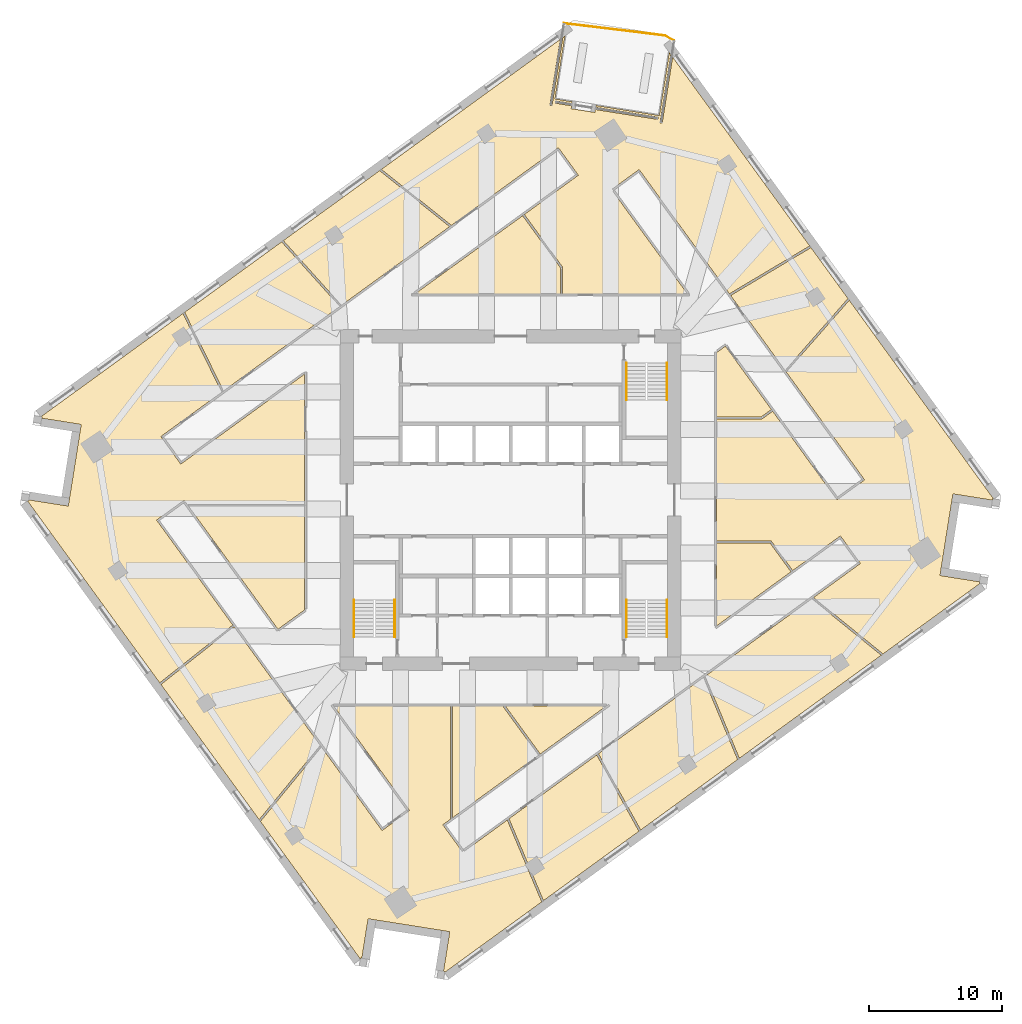
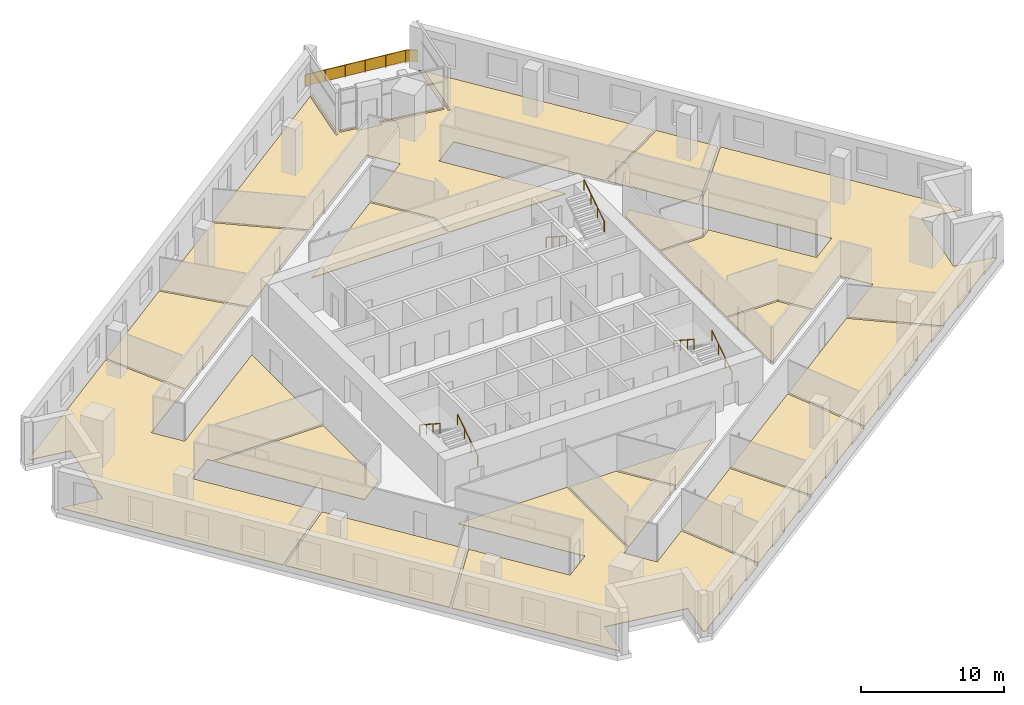
# One storey, part 10 of 11: 17 coverings, 7 railings.
"""IFC4 building model written with IfcOpenShell, lengths in metres."""

from ifc_helpers import new_model, si_unit, direction, frame, origin, origin_2d, place, context, subcontext, project, spatial, polyline, rectangle, circle, outline, extrude, material, layer, layer_set, type_object, element, save


model = new_model("IFC4")

# Units and contexts
model_context = context("Model", 3, precision=1e-05, world=origin(), true_north=direction((0.0, 1.0)))
body_context = subcontext(model_context, "Body", "Model", "MODEL_VIEW")
ifc_project = project(units=[si_unit("LENGTHUNIT", "METRE"), si_unit("AREAUNIT", "SQUARE_METRE"), si_unit("VOLUMEUNIT", "CUBIC_METRE"), si_unit("PLANEANGLEUNIT", "RADIAN"), si_unit("MASSUNIT", "GRAM", prefix="KILO")], contexts=[model_context])

# Site, building, storey
site_placement = place(None, origin())
site = spatial("IfcSite", under=ifc_project, at=site_placement, CompositionType="ELEMENT")
building_placement = place(site_placement, origin())
building = spatial("IfcBuilding", under=site, at=building_placement, Name="Dilmun Exchange Tower", CompositionType="ELEMENT")
storey_placement = place(building_placement, frame((0.0, 0.0, 167.699951171875)))
storey = spatial("IfcBuildingStorey", under=building, at=storey_placement, Name="L39", CompositionType="ELEMENT", Elevation=167.699951171875)

# Coverings
ifc_material_1 = material(Name="Carpet floor finish 50")
ifc_layer_1 = layer(ifc_material_1, 0.050048828125)
ifc_layer_set_1 = layer_set([ifc_layer_1], Name="Carpet floor finish 50")
covering_type_1 = type_object("IfcCoveringType", Name="Carpet floor finish 50", PredefinedType="FLOORING", material=ifc_layer_set_1)
covering_1_placement = place(storey_placement, origin())
element("IfcCovering", 1, at=covering_1_placement, inside=storey, type_object=covering_type_1, Name="Carpet floor finish 50 Open office 1", PredefinedType="FLOORING", context=body_context, shape_type="SweptSolid", body=[
    extrude(outline(polyline([(-21.6875, 8.09521484375), (-26.27099609375, 4.76513671875), (-24.772216796875, 2.7021484375), (-15.47509765625, 9.45703125), (-15.47509765625, -0.3203125), (-24.29931640625, -0.3203125), (-24.522705078125, -0.0126953125), (-26.585693359375, -1.51171875), (-20.861328125, -9.390625), (-26.357421875, -13.73681640625), (-36.276123046875, -0.085205078125), (-36.2060546875, -0.09619140625), (-36.205810546875, -0.09619140625), (-36.205810546875, -0.09619140625), (-36.20556640625, -0.09619140625), (-36.205322265625, -0.09619140625), (-36.205078125, -0.09619140625), (-36.205078125, -0.09619140625), (-36.204833984375, -0.095947265625), (-36.20458984375, -0.095947265625), (-36.20458984375, -0.095703125), (-36.204345703125, -0.095703125), (-36.2041015625, -0.095458984375), (-36.2041015625, -0.09521484375), (-36.2041015625, -0.09521484375), (-36.203857421875, -0.094970703125), (-36.203857421875, -0.0947265625), (-36.203857421875, -0.094482421875), (-36.186767578125, 0.013427734375), (-33.2255859375, -0.45556640625), (-33.225341796875, -0.45556640625), (-33.225341796875, -0.45556640625), (-33.22509765625, -0.45556640625), (-33.224853515625, -0.45556640625), (-33.224609375, -0.45556640625), (-33.224609375, -0.455322265625), (-33.224365234375, -0.455322265625), (-33.22412109375, -0.455078125), (-33.22412109375, -0.455078125), (-33.223876953125, -0.455078125), (-33.2236328125, -0.454833984375), (-33.2236328125, -0.45458984375), (-33.223388671875, -0.45458984375), (-33.223388671875, -0.454345703125), (-33.223388671875, -0.4541015625), (-33.223388671875, -0.453857421875), (-33.129638671875, 0.13818359375), (-33.12939453125, 0.138427734375), (-33.12939453125, 0.138671875), (-33.12939453125, 0.138916015625), (-32.347412109375, 5.07666015625), (-32.347412109375, 5.076904296875), (-32.347412109375, 5.076904296875), (-32.347412109375, 5.0771484375), (-32.25341796875, 5.669921875), (-32.25341796875, 5.669921875), (-32.25341796875, 5.670166015625), (-32.25341796875, 5.67041015625), (-32.25341796875, 5.670654296875), (-32.25341796875, 5.6708984375), (-32.253662109375, 5.6708984375), (-32.253662109375, 5.671142578125), (-32.25390625, 5.67138671875), (-32.25390625, 5.67138671875), (-32.25390625, 5.671630859375), (-32.254150390625, 5.671630859375), (-32.25439453125, 5.671875), (-32.25439453125, 5.671875), (-32.254638671875, 5.672119140625), (-32.2548828125, 5.672119140625), (-32.255126953125, 5.672119140625), (-35.21630859375, 6.14111328125), (-35.19921875, 6.248779296875), (-35.19921875, 6.2490234375), (-35.19921875, 6.249267578125), (-35.19921875, 6.24951171875), (-35.19921875, 6.249755859375), (-35.19921875, 6.25), (-35.19921875, 6.25), (-35.199462890625, 6.250244140625), (-35.199462890625, 6.25048828125), (-35.19970703125, 6.25048828125), (-35.19970703125, 6.250732421875), (-35.199951171875, 6.2509765625), (-35.199951171875, 6.2509765625), (-35.2001953125, 6.251220703125), (-35.200439453125, 6.251220703125), (-35.20068359375, 6.251220703125), (-35.20068359375, 6.251220703125), (-35.27099609375, 6.26220703125), (-24.610595703125, 14.007568359375), (-21.6875, 8.09521484375)])), origin(), (0.0, 0.0, 1.0), 0.050048828125),
])
covering_2_placement = place(storey_placement, origin())
element("IfcCovering", 2, at=covering_2_placement, inside=storey, type_object=covering_type_1, Name="Carpet floor finish 50 Training room", PredefinedType="FLOORING", context=body_context, shape_type="SweptSolid", body=[
    extrude(outline(polyline([(-20.773193359375, -9.511962890625), (-14.294921875, -18.428466796875), (-18.887939453125, -24.017578125), (-26.269287109375, -13.8583984375), (-20.773193359375, -9.511962890625)])), origin(), (0.0, 0.0, 1.0), 0.050048828125),
])
covering_3_placement = place(storey_placement, origin())
element("IfcCovering", 3, at=covering_3_placement, inside=storey, type_object=covering_type_1, Name="Carpet floor finish 50 Library 1", PredefinedType="FLOORING", context=body_context, shape_type="SweptSolid", body=[
    extrude(outline(polyline([(-24.4873046875, 14.096923828125), (-17.197509765625, 19.393310546875), (-12.827392578125, 14.532470703125), (-21.564453125, 8.184814453125), (-24.4873046875, 14.096923828125)])), origin(), (0.0, 0.0, 1.0), 0.050048828125),
])
covering_4_placement = place(storey_placement, origin())
element("IfcCovering", 4, at=covering_4_placement, inside=storey, type_object=covering_type_1, Name="Carpet floor finish 50 Boardroom 1", PredefinedType="FLOORING", context=body_context, shape_type="SweptSolid", body=[
    extrude(outline(polyline([(-17.4755859375, -9.71240234375), (-24.1904296875, -0.47021484375), (-15.47509765625, -0.47021484375), (-15.47509765625, -8.2587890625), (-17.4755859375, -9.71240234375)])), origin(), (0.0, 0.0, 1.0), 0.050048828125),
])
covering_5_placement = place(storey_placement, origin())
element("IfcCovering", 5, at=covering_5_placement, inside=storey, type_object=covering_type_1, Name="Carpet floor finish 50 Executive office 1", PredefinedType="FLOORING", context=body_context, shape_type="SweptSolid", body=[
    extrude(outline(polyline([(-12.70556640625, 14.62109375), (-17.075439453125, 19.482177734375), (-9.8369140625, 24.7412109375), (-4.573486328125, 20.529541015625), (-12.70556640625, 14.62109375)])), origin(), (0.0, 0.0, 1.0), 0.050048828125),
])
covering_6_placement = place(storey_placement, origin())
element("IfcCovering", 6, at=covering_6_placement, inside=storey, type_object=covering_type_1, Name="Carpet floor finish 50 Boardroom 2", PredefinedType="FLOORING", context=body_context, shape_type="SweptSolid", body=[
    extrude(outline(polyline([(-14.203857421875, -18.553955078125), (-9.653076171875, -24.8173828125), (-7.590087890625, -23.318603515625), (-13.288818359375, -15.47509765625), (-4.517578125, -15.47509765625), (-4.517578125, -23.982421875), (-5.085205078125, -24.394775390625), (-3.586181640625, -26.457763671875), (-0.248291015625, -24.03271484375), (2.34228515625, -30.186279296875), (-4.943359375, -35.479736328125), (-4.932373046875, -35.40966796875), (-4.932373046875, -35.409423828125), (-4.932373046875, -35.4091796875), (-4.932373046875, -35.408935546875), (-4.932373046875, -35.40869140625), (-4.932373046875, -35.40869140625), (-4.9326171875, -35.408447265625), (-4.9326171875, -35.408203125), (-4.9326171875, -35.408203125), (-4.932861328125, -35.407958984375), (-4.93310546875, -35.40771484375), (-4.93310546875, -35.40771484375), (-4.933349609375, -35.40771484375), (-4.933349609375, -35.407470703125), (-4.93359375, -35.407470703125), (-4.933837890625, -35.407470703125), (-4.93408203125, -35.4072265625), (-5.0419921875, -35.39013671875), (-4.572998046875, -32.42919921875), (-4.572998046875, -32.428955078125), (-4.572998046875, -32.4287109375), (-4.572998046875, -32.4287109375), (-4.572998046875, -32.428466796875), (-4.572998046875, -32.42822265625), (-4.572998046875, -32.427978515625), (-4.5732421875, -32.427734375), (-4.5732421875, -32.427734375), (-4.573486328125, -32.427490234375), (-4.573486328125, -32.427490234375), (-4.57373046875, -32.42724609375), (-4.57373046875, -32.427001953125), (-4.573974609375, -32.427001953125), (-4.57421875, -32.427001953125), (-4.574462890625, -32.427001953125), (-4.57470703125, -32.427001953125), (-5.167236328125, -32.3330078125), (-5.16748046875, -32.3330078125), (-5.16748046875, -32.3330078125), (-10.105712890625, -31.55078125), (-10.10595703125, -31.55078125), (-10.10595703125, -31.55078125), (-10.106201171875, -31.55078125), (-10.6982421875, -31.45703125), (-10.698486328125, -31.45703125), (-10.69873046875, -31.45703125), (-10.698974609375, -31.45703125), (-10.69921875, -31.45703125), (-10.69921875, -31.45703125), (-10.699462890625, -31.457275390625), (-10.69970703125, -31.457275390625), (-10.69970703125, -31.45751953125), (-10.699951171875, -31.45751953125), (-10.7001953125, -31.45751953125), (-10.7001953125, -31.457763671875), (-10.7001953125, -31.4580078125), (-10.700439453125, -31.4580078125), (-10.700439453125, -31.458251953125), (-10.700439453125, -31.45849609375), (-10.70068359375, -31.458740234375), (-11.169677734375, -34.419677734375), (-11.27734375, -34.402587890625), (-11.277587890625, -34.402587890625), (-11.27783203125, -34.402587890625), (-11.278076171875, -34.402587890625), (-11.2783203125, -34.402587890625), (-11.2783203125, -34.402587890625), (-11.278564453125, -34.40283203125), (-11.27880859375, -34.40283203125), (-11.27880859375, -34.403076171875), (-11.279052734375, -34.403076171875), (-11.279296875, -34.4033203125), (-11.279296875, -34.4033203125), (-11.279541015625, -34.403564453125), (-11.279541015625, -34.40380859375), (-11.279541015625, -34.40380859375), (-11.27978515625, -34.404052734375), (-11.27978515625, -34.404296875), (-11.290771484375, -34.474365234375), (-18.796875, -24.14306640625), (-14.203857421875, -18.553955078125)])), origin(), (0.0, 0.0, 1.0), 0.050048828125),
])
covering_7_placement = place(storey_placement, origin())
element("IfcCovering", 7, at=covering_7_placement, inside=storey, type_object=covering_type_1, Name="Carpet floor finish 50 Executive office 2", PredefinedType="FLOORING", context=body_context, shape_type="SweptSolid", body=[
    extrude(outline(polyline([(-4.367431640625, -15.47509765625), (-0.585693359375, -15.47509765625), (2.101318359375, -19.173583984375), (-4.367431640625, -23.87353515625), (-4.367431640625, -15.47509765625)])), origin(), (0.0, 0.0, 1.0), 0.050048828125),
])
covering_8_placement = place(storey_placement, origin())
element("IfcCovering", 8, at=covering_8_placement, inside=storey, type_object=covering_type_1, Name="Carpet floor finish 50 Garden lounge", PredefinedType="FLOORING", context=body_context, shape_type="SweptSolid", body=[
    extrude(outline(polyline([(-9.711181640625, 24.83251953125), (3.733154296875, 34.600341796875), (2.948974609375, 29.64892578125), (2.948974609375, 29.648681640625), (2.948974609375, 29.648681640625), (2.948974609375, 29.6484375), (2.948974609375, 29.648193359375), (2.948974609375, 29.648193359375), (2.94921875, 29.64794921875), (2.94921875, 29.647705078125), (2.94921875, 29.6474609375), (2.949462890625, 29.6474609375), (2.949462890625, 29.647216796875), (2.94970703125, 29.647216796875), (2.94970703125, 29.64697265625), (2.949951171875, 29.64697265625), (2.9501953125, 29.646728515625), (2.950439453125, 29.646728515625), (2.95068359375, 29.646728515625), (3.108642578125, 29.62158203125), (3.10888671875, 29.62158203125), (3.10888671875, 29.62158203125), (3.109130859375, 29.62158203125), (3.109375, 29.62158203125), (3.109619140625, 29.621826171875), (3.10986328125, 29.621826171875), (3.10986328125, 29.6220703125), (3.110107421875, 29.6220703125), (3.110107421875, 29.622314453125), (3.1103515625, 29.622314453125), (3.110595703125, 29.62255859375), (3.110595703125, 29.62255859375), (3.110595703125, 29.622802734375), (3.11083984375, 29.623046875), (3.11083984375, 29.623291015625), (3.11083984375, 29.623291015625), (3.9208984375, 34.73681640625), (4.08447265625, 34.855712890625), (3.334228515625, 30.119384765625), (4.630126953125, 29.914306640625), (4.60791015625, 29.77294921875), (3.385986328125, 29.966552734375), (3.3857421875, 29.966552734375), (3.385498046875, 29.966552734375), (3.385498046875, 29.966552734375), (3.38525390625, 29.966552734375), (3.385009765625, 29.966552734375), (3.385009765625, 29.96630859375), (3.384765625, 29.96630859375), (3.384521484375, 29.96630859375), (3.384521484375, 29.966064453125), (3.38427734375, 29.966064453125), (3.384033203125, 29.9658203125), (3.384033203125, 29.9658203125), (3.3837890625, 29.965576171875), (3.3837890625, 29.96533203125), (3.3837890625, 29.965087890625), (3.3837890625, 29.96484375), (3.358642578125, 29.806884765625), (3.358642578125, 29.806640625), (3.358642578125, 29.806396484375), (3.358642578125, 29.806396484375), (3.358642578125, 29.80615234375), (3.35888671875, 29.805908203125), (3.35888671875, 29.8056640625), (3.35888671875, 29.8056640625), (3.359130859375, 29.805419921875), (3.359130859375, 29.805419921875), (3.359375, 29.80517578125), (3.359619140625, 29.804931640625), (3.359619140625, 29.804931640625), (3.35986328125, 29.8046875), (3.360107421875, 29.8046875), (3.360107421875, 29.8046875), (3.3603515625, 29.8046875), (4.582275390625, 29.611083984375), (4.548095703125, 29.395751953125), (4.548095703125, 29.3955078125), (4.548095703125, 29.395263671875), (4.548095703125, 29.39501953125), (4.548095703125, 29.39501953125), (4.548095703125, 29.394775390625), (4.548095703125, 29.39453125), (4.54833984375, 29.394287109375), (4.54833984375, 29.394287109375), (4.548583984375, 29.39404296875), (4.548583984375, 29.393798828125), (4.548828125, 29.393798828125), (4.549072265625, 29.393798828125), (4.54931640625, 29.3935546875), (4.54931640625, 29.3935546875), (4.549560546875, 29.3935546875), (4.5498046875, 29.393310546875), (6.32763671875, 29.11181640625), (6.32763671875, 29.11181640625), (6.327880859375, 29.11181640625), (6.328125, 29.11181640625), (6.328369140625, 29.11181640625), (6.32861328125, 29.11181640625), (6.32861328125, 29.112060546875), (6.328857421875, 29.112060546875), (6.3291015625, 29.1123046875), (6.3291015625, 29.1123046875), (6.329345703125, 29.1123046875), (6.32958984375, 29.112548828125), (6.32958984375, 29.11279296875), (6.32958984375, 29.11279296875), (6.32958984375, 29.113037109375), (6.329833984375, 29.11328125), (6.329833984375, 29.113525390625), (6.364013671875, 29.328857421875), (11.042724609375, 28.587890625), (11.04296875, 28.587890625), (11.043212890625, 28.587890625), (11.04345703125, 28.587890625), (11.043701171875, 28.587890625), (11.043701171875, 28.587890625), (11.0439453125, 28.587890625), (11.044189453125, 28.588134765625), (11.044189453125, 28.588134765625), (11.04443359375, 28.58837890625), (11.044677734375, 28.58837890625), (11.044677734375, 28.588623046875), (11.044921875, 28.588623046875), (11.044921875, 28.5888671875), (11.044921875, 28.589111328125), (11.044921875, 28.58935546875), (11.045166015625, 28.589599609375), (11.070068359375, 28.74755859375), (11.070068359375, 28.747802734375), (11.070068359375, 28.747802734375), (11.070068359375, 28.748046875), (11.070068359375, 28.748291015625), (11.070068359375, 28.74853515625), (11.06982421875, 28.748779296875), (11.06982421875, 28.748779296875), (11.069580078125, 28.7490234375), (11.069580078125, 28.7490234375), (11.069580078125, 28.749267578125), (11.0693359375, 28.74951171875), (11.069091796875, 28.74951171875), (11.069091796875, 28.74951171875), (11.06884765625, 28.749755859375), (11.068603515625, 28.749755859375), (11.068359375, 28.749755859375), (6.3896484375, 29.49072265625), (6.412109375, 29.632080078125), (11.164794921875, 28.87939453125), (11.9150390625, 33.615478515625), (12.03369140625, 33.451904296875), (11.223876953125, 28.33837890625), (11.223876953125, 28.338134765625), (11.223876953125, 28.337890625), (11.223876953125, 28.337646484375), (11.223876953125, 28.33740234375), (11.22412109375, 28.33740234375), (11.22412109375, 28.337158203125), (11.22412109375, 28.3369140625), (11.224365234375, 28.3369140625), (11.224365234375, 28.336669921875), (11.224609375, 28.33642578125), (11.224609375, 28.33642578125), (11.224853515625, 28.336181640625), (11.22509765625, 28.336181640625), (11.22509765625, 28.336181640625), (11.225341796875, 28.336181640625), (11.2255859375, 28.3359375), (11.383544921875, 28.31103515625), (11.3837890625, 28.31103515625), (11.384033203125, 28.31103515625), (11.38427734375, 28.31103515625), (11.384521484375, 28.31103515625), (11.384521484375, 28.31103515625), (11.384765625, 28.311279296875), (11.385009765625, 28.311279296875), (11.385009765625, 28.311279296875), (11.38525390625, 28.3115234375), (11.385498046875, 28.3115234375), (11.385498046875, 28.311767578125), (11.385498046875, 28.31201171875), (11.3857421875, 28.31201171875), (11.3857421875, 28.312255859375), (11.385986328125, 28.3125), (11.385986328125, 28.312744140625), (12.170166015625, 33.26416015625), (22.473388671875, 19.0830078125), (16.434814453125, 15.4833984375), (9.653076171875, 24.8173828125), (7.590087890625, 23.318603515625), (13.288818359375, 15.47509765625), (3.89501953125, 15.47509765625), (3.89501953125, 17.5009765625), (1.02783203125, 21.447021484375), (5.085205078125, 24.394775390625), (3.586181640625, 26.457763671875), (-4.447509765625, 20.620849609375), (-9.711181640625, 24.83251953125)])), origin(), (0.0, 0.0, 1.0), 0.050048828125),
])
covering_9_placement = place(storey_placement, origin())
element("IfcCovering", 9, at=covering_9_placement, inside=storey, type_object=covering_type_1, Name="Carpet floor finish 50 Executive office 3", PredefinedType="FLOORING", context=body_context, shape_type="SweptSolid", body=[
    extrude(outline(polyline([(17.053955078125, -19.497802734375), (9.767578125, -24.79150390625), (6.594482421875, -19.06103515625), (14.4873046875, -13.32666015625), (17.053955078125, -19.497802734375)])), origin(), (0.0, 0.0, 1.0), 0.050048828125),
])
covering_10_placement = place(storey_placement, origin())
element("IfcCovering", 10, at=covering_10_placement, inside=storey, type_object=covering_type_1, Name="Carpet floor finish 50 Executive office 4", PredefinedType="FLOORING", context=body_context, shape_type="SweptSolid", body=[
    extrude(outline(polyline([(21.067138671875, -5.39404296875), (15.47509765625, -9.45703125), (15.47509765625, -3.228515625), (19.49365234375, -3.228515625), (21.067138671875, -5.39404296875)])), origin(), (0.0, 0.0, 1.0), 0.050048828125),
])
covering_11_placement = place(storey_placement, origin())
element("IfcCovering", 11, at=covering_11_placement, inside=storey, type_object=covering_type_1, Name="Carpet floor finish 50 Executive office 5", PredefinedType="FLOORING", context=body_context, shape_type="SweptSolid", body=[
    extrude(outline(polyline([(22.622802734375, -7.415771484375), (27.844482421875, -11.657958984375), (17.1787109375, -19.406982421875), (14.612060546875, -13.236083984375), (22.622802734375, -7.415771484375)])), origin(), (0.0, 0.0, 1.0), 0.050048828125),
])
covering_12_placement = place(storey_placement, origin())
element("IfcCovering", 12, at=covering_12_placement, inside=storey, type_object=covering_type_1, Name="Carpet floor finish 50 Library 2", PredefinedType="FLOORING", context=body_context, shape_type="SweptSolid", body=[
    extrude(outline(polyline([(22.561767578125, 18.961181640625), (25.34521484375, 15.13037109375), (20.612060546875, 9.73388671875), (16.523193359375, 15.361572265625), (22.561767578125, 18.961181640625)])), origin(), (0.0, 0.0, 1.0), 0.050048828125),
])
covering_13_placement = place(storey_placement, origin())
element("IfcCovering", 13, at=covering_13_placement, inside=storey, type_object=covering_type_1, Name="Carpet floor finish 50 Open office 2", PredefinedType="FLOORING", context=body_context, shape_type="SweptSolid", body=[
    extrude(outline(polyline([(24.522705078125, 0.0126953125), (26.585693359375, 1.51171875), (20.702392578125, 9.609619140625), (25.435546875, 15.005859375), (36.276123046875, 0.085205078125), (36.2060546875, 0.09619140625), (36.205810546875, 0.09619140625), (36.205810546875, 0.09619140625), (36.20556640625, 0.09619140625), (36.205322265625, 0.09619140625), (36.205078125, 0.09619140625), (36.205078125, 0.09619140625), (36.204833984375, 0.095947265625), (36.20458984375, 0.095947265625), (36.20458984375, 0.095703125), (36.204345703125, 0.095703125), (36.2041015625, 0.095458984375), (36.2041015625, 0.09521484375), (36.2041015625, 0.09521484375), (36.203857421875, 0.094970703125), (36.203857421875, 0.0947265625), (36.203857421875, 0.094482421875), (36.186767578125, -0.013427734375), (33.2255859375, 0.45556640625), (33.225341796875, 0.45556640625), (33.225341796875, 0.45556640625), (33.22509765625, 0.45556640625), (33.224853515625, 0.45556640625), (33.224609375, 0.45556640625), (33.224609375, 0.455322265625), (33.224365234375, 0.455322265625), (33.22412109375, 0.455078125), (33.22412109375, 0.455078125), (33.223876953125, 0.455078125), (33.2236328125, 0.454833984375), (33.2236328125, 0.45458984375), (33.223388671875, 0.45458984375), (33.223388671875, 0.454345703125), (33.223388671875, 0.4541015625), (33.223388671875, 0.453857421875), (33.129638671875, -0.13818359375), (33.12939453125, -0.138427734375), (33.12939453125, -0.138671875), (33.12939453125, -0.138916015625), (32.347412109375, -5.07666015625), (32.347412109375, -5.076904296875), (32.347412109375, -5.076904296875), (32.347412109375, -5.0771484375), (32.25341796875, -5.669921875), (32.25341796875, -5.669921875), (32.25341796875, -5.670166015625), (32.25341796875, -5.67041015625), (32.25341796875, -5.670654296875), (32.25341796875, -5.6708984375), (32.253662109375, -5.6708984375), (32.253662109375, -5.671142578125), (32.25390625, -5.67138671875), (32.25390625, -5.67138671875), (32.25390625, -5.671630859375), (32.254150390625, -5.671630859375), (32.25439453125, -5.671875), (32.25439453125, -5.671875), (32.254638671875, -5.672119140625), (32.2548828125, -5.672119140625), (32.255126953125, -5.672119140625), (35.21630859375, -6.14111328125), (35.19921875, -6.248779296875), (35.19921875, -6.2490234375), (35.19921875, -6.249267578125), (35.19921875, -6.24951171875), (35.19921875, -6.249755859375), (35.19921875, -6.25), (35.19921875, -6.25), (35.199462890625, -6.250244140625), (35.199462890625, -6.25048828125), (35.19970703125, -6.25048828125), (35.19970703125, -6.250732421875), (35.199951171875, -6.2509765625), (35.199951171875, -6.2509765625), (35.2001953125, -6.251220703125), (35.200439453125, -6.251220703125), (35.20068359375, -6.251220703125), (35.20068359375, -6.251220703125), (35.27099609375, -6.26220703125), (27.969970703125, -11.566650390625), (22.748291015625, -7.32470703125), (26.27099609375, -4.76513671875), (24.772216796875, -2.7021484375), (21.1884765625, -5.305908203125), (19.5703125, -3.07861328125), (15.47509765625, -3.07861328125), (15.47509765625, 6.094970703125), (18.88623046875, 6.094970703125), (19.68310546875, 6.674072265625), (24.522705078125, 0.0126953125)])), origin(), (0.0, 0.0, 1.0), 0.050048828125),
])

# Railings
ifc_material_2 = material(Name="Stainless steel", Category="steel")
railing_type_1 = type_object("IfcRailingType", Name="Stair handrail 900", PredefinedType="HANDRAIL", material=ifc_material_2)
railing_1_placement = place(storey_placement, frame((8.699951171875, 10.300048828125, 0.181884765625)))
element("IfcRailing", 14, at=railing_1_placement, inside=storey, type_object=railing_type_1, Name="L39 ST1 stair handrail 1", PredefinedType="HANDRAIL", context=body_context, shape_type="SweptSolid", body=[
    extrude(circle(Radius=0.02392578125, at=origin_2d()), frame((0.0, 0.0, 0.8759765625), z_axis=(0.0, -0.838705829183, 0.544584733623), x_axis=(1.0, 0.0, 0.0)), (0.0, 0.0, 1.0), 3.338623046875),
    extrude(circle(Radius=0.02099609375, at=origin_2d()), origin(), (0.0, 0.0, 1.0), 0.851806640625),
    extrude(circle(Radius=0.02099609375, at=origin_2d()), frame((0.0, -0.933349609375, 0.60595703125)), (0.0, 0.0, 1.0), 0.851806640625),
    extrude(circle(Radius=0.02099609375, at=origin_2d()), frame((0.0, -1.86669921875, 1.212158203125)), (0.0, 0.0, 1.0), 0.851806640625),
    extrude(circle(Radius=0.02099609375, at=origin_2d()), frame((0.0, -2.800048828125, 1.818115234375)), (0.0, 0.0, 1.0), 0.851806640625),
])
for number, where, name in (
    (15, (11.75, 7.5, 2.181884765625), "L39 ST1 stair handrail 2"),
    (16, (-8.699951171875, -10.300048828125, 0.181884765625), "L39 ST2 stair handrail 1"),
):
    element("IfcRailing", number, at=place(storey_placement, frame(where)), inside=storey, type_object=railing_type_1, Name=name, PredefinedType="HANDRAIL", context=body_context, shape_type="SweptSolid", body=[
        extrude(circle(Radius=0.02392578125, at=origin_2d()), frame((0.0, 0.0, 0.8759765625), z_axis=(0.0, 0.838705829183, 0.544584733623), x_axis=(-1.0, 0.0, 0.0)), (0.0, 0.0, 1.0), 3.338623046875),
        extrude(circle(Radius=0.02099609375, at=origin_2d()), origin(), (0.0, 0.0, 1.0), 0.851806640625),
        extrude(circle(Radius=0.02099609375, at=origin_2d()), frame((0.0, 0.933349609375, 0.60595703125)), (0.0, 0.0, 1.0), 0.851806640625),
        extrude(circle(Radius=0.02099609375, at=origin_2d()), frame((0.0, 1.86669921875, 1.212158203125)), (0.0, 0.0, 1.0), 0.851806640625),
        extrude(circle(Radius=0.02099609375, at=origin_2d()), frame((0.0, 2.800048828125, 1.818115234375)), (0.0, 0.0, 1.0), 0.851806640625),
    ])
railing_2_placement = place(storey_placement, frame((-11.75, -7.5, 2.181884765625)))
element("IfcRailing", 17, at=railing_2_placement, inside=storey, type_object=railing_type_1, Name="L39 ST2 stair handrail 2", PredefinedType="HANDRAIL", context=body_context, shape_type="SweptSolid", body=[
    extrude(circle(Radius=0.02392578125, at=origin_2d()), frame((0.0, 0.0, 0.8759765625), z_axis=(0.0, -0.838705829183, 0.544584733623), x_axis=(1.0, 0.0, 0.0)), (0.0, 0.0, 1.0), 3.338623046875),
    extrude(circle(Radius=0.02099609375, at=origin_2d()), origin(), (0.0, 0.0, 1.0), 0.851806640625),
    extrude(circle(Radius=0.02099609375, at=origin_2d()), frame((0.0, -0.933349609375, 0.60595703125)), (0.0, 0.0, 1.0), 0.851806640625),
    extrude(circle(Radius=0.02099609375, at=origin_2d()), frame((0.0, -1.86669921875, 1.212158203125)), (0.0, 0.0, 1.0), 0.851806640625),
    extrude(circle(Radius=0.02099609375, at=origin_2d()), frame((0.0, -2.800048828125, 1.818115234375)), (0.0, 0.0, 1.0), 0.851806640625),
])
railing_3_placement = place(storey_placement, frame((11.75, -10.300048828125, 0.181884765625)))
element("IfcRailing", 18, at=railing_3_placement, inside=storey, type_object=railing_type_1, Name="L39 ST3 stair handrail 1", PredefinedType="HANDRAIL", context=body_context, shape_type="SweptSolid", body=[
    extrude(circle(Radius=0.02392578125, at=origin_2d()), frame((0.0, 0.0, 0.8759765625), z_axis=(0.0, 0.838705829183, 0.544584733623), x_axis=(-1.0, 0.0, 0.0)), (0.0, 0.0, 1.0), 3.338623046875),
    extrude(circle(Radius=0.02099609375, at=origin_2d()), origin(), (0.0, 0.0, 1.0), 0.851806640625),
    extrude(circle(Radius=0.02099609375, at=origin_2d()), frame((0.0, 0.933349609375, 0.60595703125)), (0.0, 0.0, 1.0), 0.851806640625),
    extrude(circle(Radius=0.02099609375, at=origin_2d()), frame((0.0, 1.86669921875, 1.212158203125)), (0.0, 0.0, 1.0), 0.851806640625),
    extrude(circle(Radius=0.02099609375, at=origin_2d()), frame((0.0, 2.800048828125, 1.818115234375)), (0.0, 0.0, 1.0), 0.851806640625),
])
railing_4_placement = place(storey_placement, frame((8.699951171875, -7.5, 2.181884765625)))
element("IfcRailing", 19, at=railing_4_placement, inside=storey, type_object=railing_type_1, Name="L39 ST3 stair handrail 2", PredefinedType="HANDRAIL", context=body_context, shape_type="SweptSolid", body=[
    extrude(circle(Radius=0.02392578125, at=origin_2d()), frame((0.0, 0.0, 0.8759765625), z_axis=(0.0, -0.838705829183, 0.544584733623), x_axis=(1.0, 0.0, 0.0)), (0.0, 0.0, 1.0), 3.338623046875),
    extrude(circle(Radius=0.02099609375, at=origin_2d()), origin(), (0.0, 0.0, 1.0), 0.851806640625),
    extrude(circle(Radius=0.02099609375, at=origin_2d()), frame((0.0, -0.933349609375, 0.60595703125)), (0.0, 0.0, 1.0), 0.851806640625),
    extrude(circle(Radius=0.02099609375, at=origin_2d()), frame((0.0, -1.86669921875, 1.212158203125)), (0.0, 0.0, 1.0), 0.851806640625),
    extrude(circle(Radius=0.02099609375, at=origin_2d()), frame((0.0, -2.800048828125, 1.818115234375)), (0.0, 0.0, 1.0), 0.851806640625),
])

# Covering
ifc_material_3 = material(Name="Stone floor finish 50", Category="masonry")
ifc_layer_2 = layer(ifc_material_3, 0.050048828125)
ifc_layer_set_2 = layer_set([ifc_layer_2], Name="Stone floor finish 50")
covering_type_2 = type_object("IfcCoveringType", Name="Stone floor finish 50", PredefinedType="FLOORING", material=ifc_layer_set_2)
covering_14_placement = place(storey_placement, origin())
element("IfcCovering", 20, at=covering_14_placement, inside=storey, type_object=covering_type_2, Name="Stone floor finish 50 Reception", PredefinedType="FLOORING", context=body_context, shape_type="SweptSolid", body=[
    extrude(outline(polyline([(6.47216796875, -19.14990234375), (9.645263671875, -24.88037109375), (2.467041015625, -30.095703125), (-0.123779296875, -23.942138671875), (6.47216796875, -19.14990234375)])), origin(), (0.0, 0.0, 1.0), 0.050048828125),
])

# Railing
railing_type_2 = type_object("IfcRailingType", Name="Terrace guard 1100 stainless steel", PredefinedType="GUARDRAIL", material=ifc_material_2)
railing_5_placement = place(storey_placement, frame((4.007080078125, 35.8056640625, 0.0)))
element("IfcRailing", 21, at=railing_5_placement, inside=storey, type_object=railing_type_2, Name="Terrace guard 1", PredefinedType="GUARDRAIL", context=body_context, shape_type="SweptSolid", body=[
    extrude(circle(Radius=0.02392578125, at=origin_2d()), frame((0.0, 0.0, 1.076171875), z_axis=(0.99269404237, -0.120658767788, 0.0), x_axis=(0.120658767788, 0.99269404237, 0.0)), (0.0, 0.0, 1.0), 7.638427734375),
    extrude(rectangle(XDim=0.011962890625, YDim=0.951904296875, at=origin_2d()), frame((0.0, 0.0, 0.576171875), z_axis=(0.99269404237, -0.120658767788, 0.0), x_axis=(0.120658767788, 0.99269404237, 0.0)), (0.0, 0.0, 1.0), 7.638427734375),
    extrude(circle(Radius=0.02392578125, at=origin_2d()), frame((7.58251953125, -0.921630859375, 1.076171875), z_axis=(0.871870949232, -0.489735691864, 0.0), x_axis=(0.489735691864, 0.871870949232, 0.0)), (0.0, 0.0, 1.0), 0.794189453125),
    extrude(rectangle(XDim=0.011962890625, YDim=0.951904296875, at=origin_2d()), frame((7.58251953125, -0.921630859375, 0.576171875), z_axis=(0.871870949232, -0.489735691864, 0.0), x_axis=(0.489735691864, 0.871870949232, 0.0)), (0.0, 0.0, 1.0), 0.794189453125),
    extrude(circle(Radius=0.02099609375, at=origin_2d()), origin(), (0.0, 0.0, 1.0), 1.052001953125),
    extrude(circle(Radius=0.02099609375, at=origin_2d()), frame((1.5166015625, -0.184326171875, 0.0)), (0.0, 0.0, 1.0), 1.052001953125),
    extrude(circle(Radius=0.02099609375, at=origin_2d()), frame((3.032958984375, -0.36865234375, 0.0)), (0.0, 0.0, 1.0), 1.052001953125),
    extrude(circle(Radius=0.02099609375, at=origin_2d()), frame((4.549560546875, -0.552978515625, 0.0)), (0.0, 0.0, 1.0), 1.052001953125),
    extrude(circle(Radius=0.02099609375, at=origin_2d()), frame((6.06591796875, -0.7373046875, 0.0)), (0.0, 0.0, 1.0), 1.052001953125),
    extrude(circle(Radius=0.02099609375, at=origin_2d()), frame((7.58251953125, -0.921630859375, 0.0)), (0.0, 0.0, 1.0), 1.052001953125),
    extrude(circle(Radius=0.02099609375, at=origin_2d()), frame((8.27490234375, -1.310546875, 0.0)), (0.0, 0.0, 1.0), 1.052001953125),
])

# Coverings
ifc_material_4 = material(Name="Tile floor finish 50")
ifc_layer_3 = layer(ifc_material_4, 0.050048828125)
ifc_layer_set_3 = layer_set([ifc_layer_3], Name="Tile floor finish 50")
covering_type_3 = type_object("IfcCoveringType", Name="Tile floor finish 50", PredefinedType="FLOORING", material=ifc_layer_set_3)
covering_15_placement = place(storey_placement, origin())
element("IfcCovering", 22, at=covering_15_placement, inside=storey, type_object=covering_type_3, Name="Tile floor finish 50 Pantry 1", PredefinedType="FLOORING", context=body_context, shape_type="SweptSolid", body=[
    extrude(outline(polyline([(3.7451171875, 17.4521484375), (3.7451171875, 15.47509765625), (-7.19189453125, 15.47509765625), (0.906494140625, 21.35888671875), (3.7451171875, 17.4521484375)])), origin(), (0.0, 0.0, 1.0), 0.050048828125),
])
covering_16_placement = place(storey_placement, origin())
element("IfcCovering", 23, at=covering_16_placement, inside=storey, type_object=covering_type_3, Name="Tile floor finish 50 Pantry 2", PredefinedType="FLOORING", context=body_context, shape_type="SweptSolid", body=[
    extrude(outline(polyline([(-0.400390625, -15.47509765625), (7.19189453125, -15.47509765625), (6.576904296875, -15.921875), (2.22265625, -19.08544921875), (-0.400390625, -15.47509765625)])), origin(), (0.0, 0.0, 1.0), 0.050048828125),
])
covering_17_placement = place(storey_placement, origin())
element("IfcCovering", 24, at=covering_17_placement, inside=storey, type_object=covering_type_3, Name="Tile floor finish 50 Pantry 3", PredefinedType="FLOORING", context=body_context, shape_type="SweptSolid", body=[
    extrude(outline(polyline([(16.13623046875, 11.555908203125), (19.594970703125, 6.79541015625), (18.837646484375, 6.2451171875), (15.47509765625, 6.2451171875), (15.47509765625, 11.07568359375), (16.13623046875, 11.555908203125)])), origin(), (0.0, 0.0, 1.0), 0.050048828125),
])

save(model, "model.ifc")
